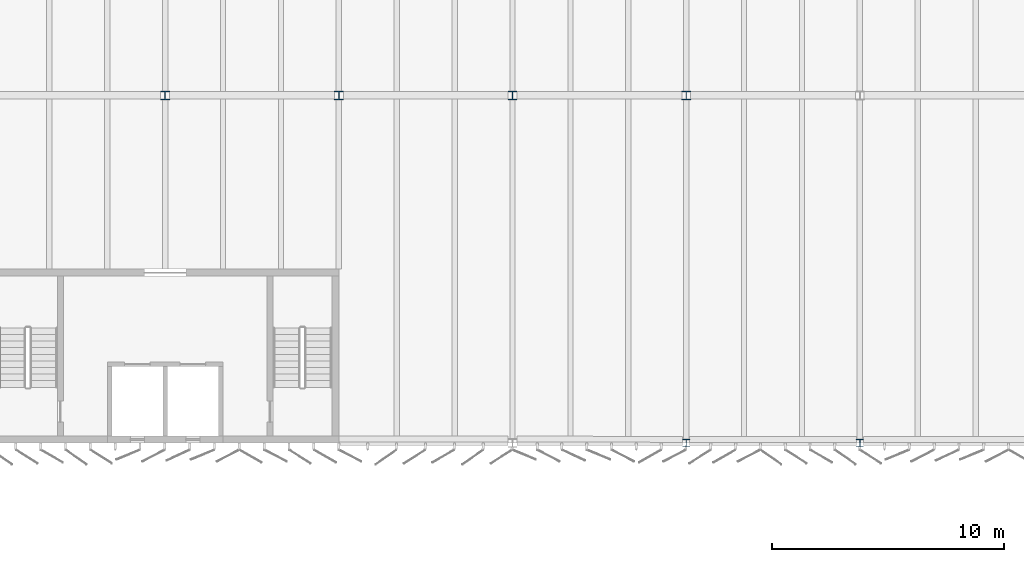
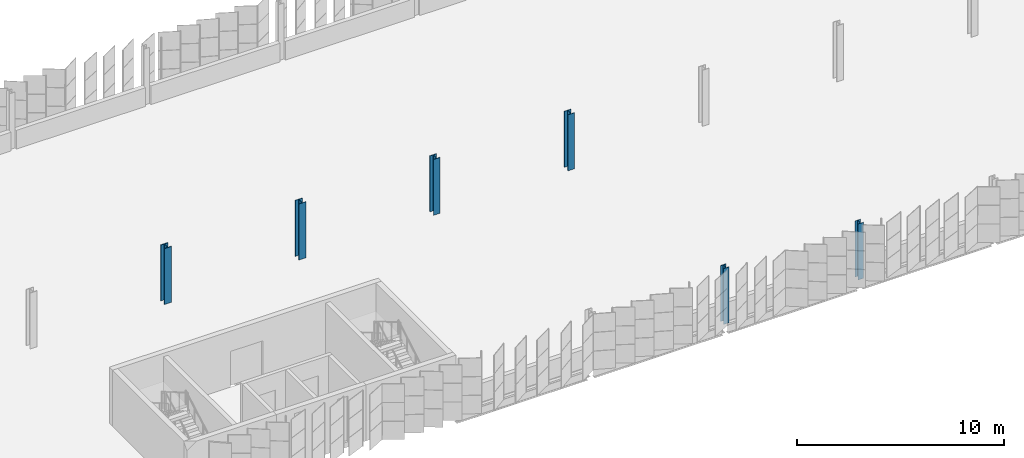
# One storey, part 11 of 199: 6 columns.
"""IFC4 building model written with IfcOpenShell, lengths in metres."""

from ifc_helpers import new_model, si_unit, direction, frame, origin, origin_2d, place, context, subcontext, project, spatial, i_section, extrude, material, material_profile, profile_set, type_object, element, save


model = new_model("IFC4")

# Units and contexts
model_context = context("Model", 3, precision=1e-05, world=origin(), true_north=direction((0.0, 1.0)))
body_context = subcontext(model_context, "Body", "Model", "MODEL_VIEW")
ifc_project = project(units=[si_unit("LENGTHUNIT", "METRE"), si_unit("AREAUNIT", "SQUARE_METRE"), si_unit("VOLUMEUNIT", "CUBIC_METRE"), si_unit("PLANEANGLEUNIT", "RADIAN"), si_unit("MASSUNIT", "GRAM", prefix="KILO")], contexts=[model_context])

# Site, building, storey
site_placement = place(None, origin())
site = spatial("IfcSite", under=ifc_project, at=site_placement, CompositionType="ELEMENT")
building_placement = place(site_placement, origin())
building = spatial("IfcBuilding", under=site, at=building_placement, Name="Parallax Yard Mobility Hub", CompositionType="ELEMENT")
storey_placement = place(building_placement, frame((0.0, 0.0, 9.89990234375)))
storey = spatial("IfcBuildingStorey", under=building, at=storey_placement, Name="L03", CompositionType="ELEMENT", Elevation=9.89990234375)

# Columns
ifc_material = material(Name="Steel ASTM A992", Category="steel")
ifc_material_profile_1 = material_profile(ifc_material, i_section(OverallWidth=0.304931640625, OverallDepth=0.306884765625, WebThickness=0.010009765625, FlangeThickness=0.015380859375, FilletRadius=0.01513671875, at=origin_2d()), Name="W310x97")
ifc_profile_set_1 = profile_set([ifc_material_profile_1], Name="Steel ASTM A992")
column_type_1 = type_object("IfcColumnType", Name="W310x97 column", PredefinedType="COLUMN", material=ifc_profile_set_1)
for number, where, z_axis, x_axis, name in (
    (1, (97.5, 112.5, 0.0), (0.0, 0.0, 1.0), (1.0, 0.0, 0.0), "Column C1 level L03 at R/14 of ramped parking decks"),
    (2, (105.0, 112.5, 0.0), (0.0, 0.0, 1.0), (1.0, 0.0, 0.0), "Column C1 level L03 at R/15 of ramped parking decks"),
):
    element("IfcColumn", number, at=place(storey_placement, frame(where, z_axis=z_axis, x_axis=x_axis)), inside=storey, type_object=column_type_1, Name=name, PredefinedType="COLUMN", context=body_context, shape_type="SweptSolid", body=[
        extrude(i_section(OverallWidth=0.304931640625, OverallDepth=0.306884765625, WebThickness=0.010009765625, FlangeThickness=0.015380859375, FilletRadius=0.01513671875, at=origin_2d()), origin(), (0.0, 0.0, 1.0), 3.300048828125),
    ])
ifc_material_profile_2 = material_profile(ifc_material, i_section(OverallWidth=0.373046875, OverallDepth=0.367919921875, WebThickness=0.014892578125, FlangeThickness=0.02392578125, FilletRadius=0.01513671875, at=origin_2d()), Name="W360x179")
ifc_profile_set_2 = profile_set([ifc_material_profile_2], Name="Steel ASTM A992")
column_type_2 = type_object("IfcColumnType", Name="W360x179 column", PredefinedType="COLUMN", material=ifc_profile_set_2)
for number, where, z_axis, x_axis, name in (
    (3, (90.0, 127.5, 0.0), (0.0, 0.0, 1.0), (1.0, 0.0, 0.0), "Column C7 level L03 at T/13 of ramped parking decks"),
    (4, (97.5, 127.5, 0.0), (0.0, 0.0, 1.0), (1.0, 0.0, 0.0), "Column C7 level L03 at T/14 of ramped parking decks"),
):
    element("IfcColumn", number, at=place(storey_placement, frame(where, z_axis=z_axis, x_axis=x_axis)), inside=storey, type_object=column_type_2, Name=name, PredefinedType="COLUMN", context=body_context, shape_type="SweptSolid", body=[
        extrude(i_section(OverallWidth=0.373046875, OverallDepth=0.367919921875, WebThickness=0.014892578125, FlangeThickness=0.02392578125, FilletRadius=0.01513671875, at=origin_2d()), origin(), (0.0, 0.0, 1.0), 3.300048828125),
    ])
ifc_material_profile_3 = material_profile(ifc_material, i_section(OverallWidth=0.39404296875, OverallDepth=0.3759765625, WebThickness=0.017333984375, FlangeThickness=0.027587890625, FilletRadius=0.01513671875, at=origin_2d()), Name="W360x216")
ifc_profile_set_3 = profile_set([ifc_material_profile_3], Name="Steel ASTM A992")
column_type_3 = type_object("IfcColumnType", Name="W360x216 column", PredefinedType="COLUMN", material=ifc_profile_set_3)
column_1_placement = place(storey_placement, frame((82.5, 127.5, 0.0), z_axis=(0.0, 0.0, 1.0), x_axis=(1.0, 0.0, 0.0)))
element("IfcColumn", 5, at=column_1_placement, inside=storey, type_object=column_type_3, Name="Column C9 level L03 at T/12 of ramped parking decks", PredefinedType="COLUMN", context=body_context, shape_type="SweptSolid", body=[
    extrude(i_section(OverallWidth=0.39404296875, OverallDepth=0.3759765625, WebThickness=0.017333984375, FlangeThickness=0.027587890625, FilletRadius=0.01513671875, at=origin_2d()), origin(), (0.0, 0.0, 1.0), 3.300048828125),
])
ifc_material_profile_4 = material_profile(ifc_material, i_section(OverallWidth=0.39599609375, OverallDepth=0.381103515625, WebThickness=0.018798828125, FlangeThickness=0.0302734375, FilletRadius=0.015380859375, at=origin_2d()), Name="W360x237")
ifc_profile_set_4 = profile_set([ifc_material_profile_4], Name="Steel ASTM A992")
column_type_4 = type_object("IfcColumnType", Name="W360x237 column", PredefinedType="COLUMN", material=ifc_profile_set_4)
column_2_placement = place(storey_placement, frame((75.0, 127.5, 0.0), z_axis=(0.0, 0.0, 1.0), x_axis=(1.0, 0.0, 0.0)))
element("IfcColumn", 6, at=column_2_placement, inside=storey, type_object=column_type_4, Name="Column C10 level L03 at T/11 of ramped parking decks", PredefinedType="COLUMN", context=body_context, shape_type="SweptSolid", body=[
    extrude(i_section(OverallWidth=0.39599609375, OverallDepth=0.381103515625, WebThickness=0.018798828125, FlangeThickness=0.0302734375, FilletRadius=0.015380859375, at=origin_2d()), origin(), (0.0, 0.0, 1.0), 3.300048828125),
])

save(model, "model.ifc")
